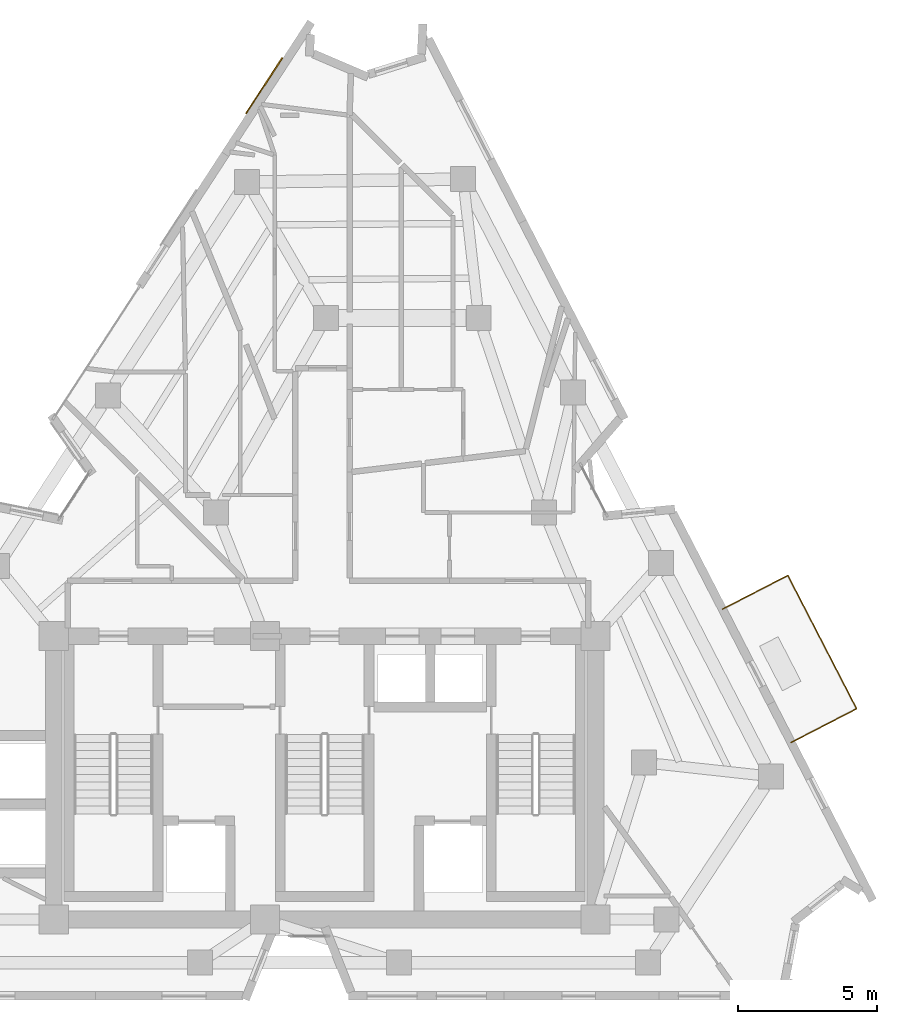
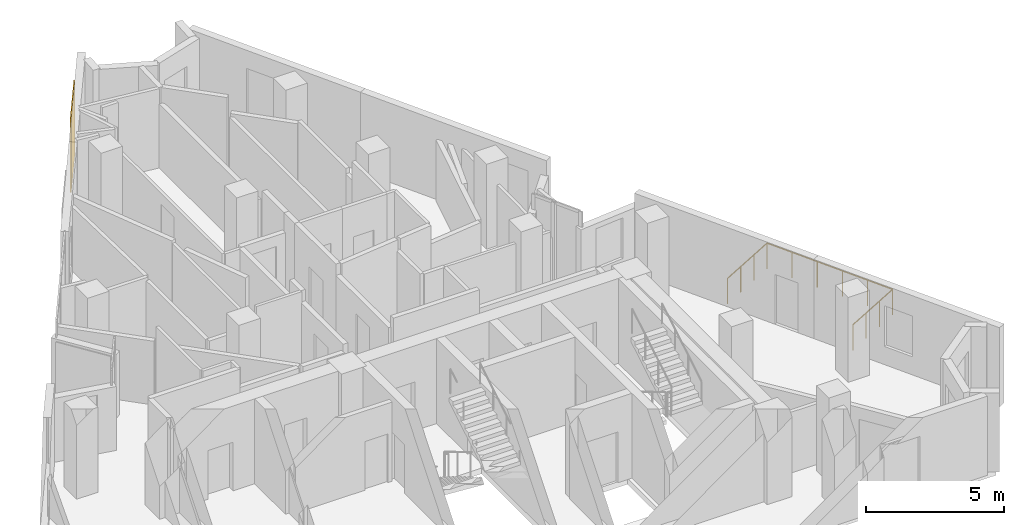
# One storey, part 10 of 10: 1 covering, 1 railing.
"""IFC4 building model written with IfcOpenShell, lengths in metres."""

from ifc_helpers import new_model, si_unit, direction, frame, origin, origin_2d, place, context, subcontext, project, spatial, rectangle, circle, extrude, material, layer, layer_set, type_object, element, save


model = new_model("IFC4")

# Units and contexts
model_context = context("Model", 3, precision=1e-05, world=origin(), true_north=direction((0.0, 1.0)))
body_context = subcontext(model_context, "Body", "Model", "MODEL_VIEW")
ifc_project = project(units=[si_unit("LENGTHUNIT", "METRE"), si_unit("AREAUNIT", "SQUARE_METRE"), si_unit("VOLUMEUNIT", "CUBIC_METRE"), si_unit("PLANEANGLEUNIT", "RADIAN"), si_unit("MASSUNIT", "GRAM", prefix="KILO")], contexts=[model_context])

# Site, building, storey
site_placement = place(None, origin())
site = spatial("IfcSite", under=ifc_project, at=site_placement, CompositionType="ELEMENT")
building_placement = place(site_placement, origin())
building = spatial("IfcBuilding", under=site, at=building_placement, Name="Almagre Mirador Tower", CompositionType="ELEMENT")
storey_placement = place(building_placement, frame((0.0, 0.0, 222.0)))
storey = spatial("IfcBuildingStorey", under=building, at=storey_placement, Name="L57", CompositionType="ELEMENT", Elevation=222.0)

# Covering
ifc_material_1 = material(Name="Almagre terracotta architectural cladding", Category="masonry")
ifc_layer = layer(ifc_material_1, 0.044921875)
ifc_layer_set = layer_set([ifc_layer], Name="Almagre terracotta architectural cladding")
covering_type = type_object("IfcCoveringType", Name="COV-CLAD-ALMAGRE", PredefinedType="CLADDING", material=ifc_layer_set)
covering_placement = place(storey_placement, frame((35.126708984375, 34.566162109375, 0.10009765625), z_axis=(0.0, 0.0, 1.0), x_axis=(0.545590125912, 0.838052155004, 0.0)))
element("IfcCovering", 1, at=covering_placement, inside=storey, type_object=covering_type, Name="L57 almagre terracotta pier cladding", PredefinedType="CLADDING", context=body_context, shape_type="SweptSolid", body=[
    extrude(rectangle(XDim=2.39990234375, YDim=0.044921875, at=origin_2d()), origin(), (0.0, 0.0, 1.0), 3.300048828125),
])

# Railing
ifc_material_2 = material(Name="Black anodized aluminium", Category="aluminium")
railing_type = type_object("IfcRailingType", Name="RLG-BAL-1150", PredefinedType="BALUSTRADE", material=ifc_material_2)
railing_placement = place(storey_placement, frame((54.096923828125, 10.919921875, 0.0)))
element("IfcRailing", 2, at=railing_placement, inside=storey, type_object=railing_type, Name="L57 east balcony balustrade 1", PredefinedType="BALUSTRADE", context=body_context, shape_type="SweptSolid", body=[
    extrude(circle(Radius=0.02392578125, at=origin_2d()), frame((0.0, 0.0, 1.1259765625), z_axis=(0.888757441986, 0.458377801944, 0.0), x_axis=(-0.458377801944, 0.888757441986, 0.0)), (0.0, 0.0, 1.0), 2.65087890625),
    extrude(circle(Radius=0.02392578125, at=origin_2d()), frame((2.35595703125, 1.215087890625, 1.1259765625), z_axis=(-0.458337686687, 0.888778130335, 0.0), x_axis=(-0.888778130335, -0.458337686687, 0.0)), (0.0, 0.0, 1.0), 5.399658203125),
    extrude(circle(Radius=0.02392578125, at=origin_2d()), frame((-0.118896484375, 6.01416015625, 1.1259765625), z_axis=(-0.888830142923, -0.458236813265, 0.0), x_axis=(0.458236813265, -0.888830142923, 0.0)), (0.0, 0.0, 1.0), 2.6494140625),
    extrude(circle(Radius=0.02099609375, at=origin_2d()), origin(), (0.0, 0.0, 1.0), 1.101806640625),
    extrude(circle(Radius=0.02099609375, at=origin_2d()), frame((0.785400390625, 0.405029296875, 0.0)), (0.0, 0.0, 1.0), 1.101806640625),
    extrude(circle(Radius=0.02099609375, at=origin_2d()), frame((1.570556640625, 0.81005859375, 0.0)), (0.0, 0.0, 1.0), 1.101806640625),
    extrude(circle(Radius=0.02099609375, at=origin_2d()), frame((2.35595703125, 1.215087890625, 0.0)), (0.0, 0.0, 1.0), 1.101806640625),
    extrude(circle(Radius=0.02099609375, at=origin_2d()), frame((1.861083984375, 2.1748046875, 0.0)), (0.0, 0.0, 1.0), 1.101806640625),
    extrude(circle(Radius=0.02099609375, at=origin_2d()), frame((1.365966796875, 3.134765625, 0.0)), (0.0, 0.0, 1.0), 1.101806640625),
    extrude(circle(Radius=0.02099609375, at=origin_2d()), frame((0.87109375, 4.094482421875, 0.0)), (0.0, 0.0, 1.0), 1.101806640625),
    extrude(circle(Radius=0.02099609375, at=origin_2d()), frame((0.3759765625, 5.054443359375, 0.0)), (0.0, 0.0, 1.0), 1.101806640625),
    extrude(circle(Radius=0.02099609375, at=origin_2d()), frame((-0.118896484375, 6.01416015625, 0.0)), (0.0, 0.0, 1.0), 1.101806640625),
    extrude(circle(Radius=0.02099609375, at=origin_2d()), frame((-0.90380859375, 5.609375, 0.0)), (0.0, 0.0, 1.0), 1.101806640625),
    extrude(circle(Radius=0.02099609375, at=origin_2d()), frame((-1.68896484375, 5.204833984375, 0.0)), (0.0, 0.0, 1.0), 1.101806640625),
    extrude(circle(Radius=0.02099609375, at=origin_2d()), frame((-2.473876953125, 4.800048828125, 0.0)), (0.0, 0.0, 1.0), 1.101806640625),
])

save(model, "model.ifc")
